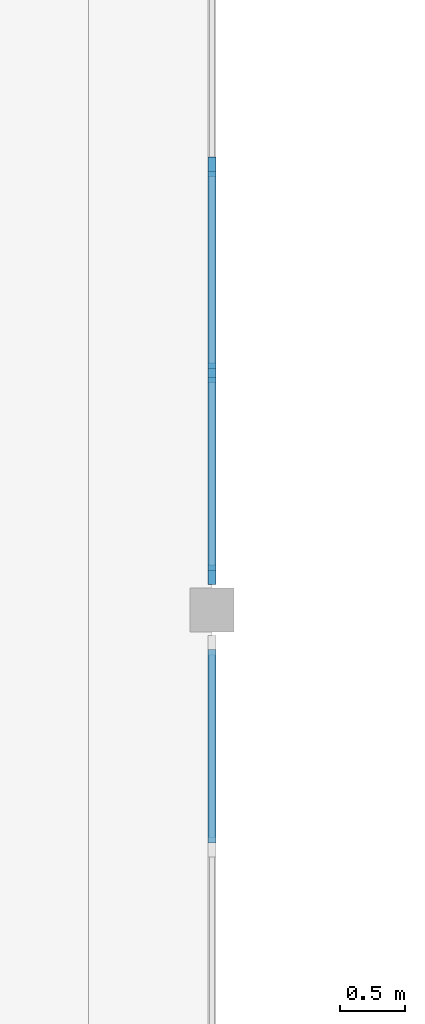
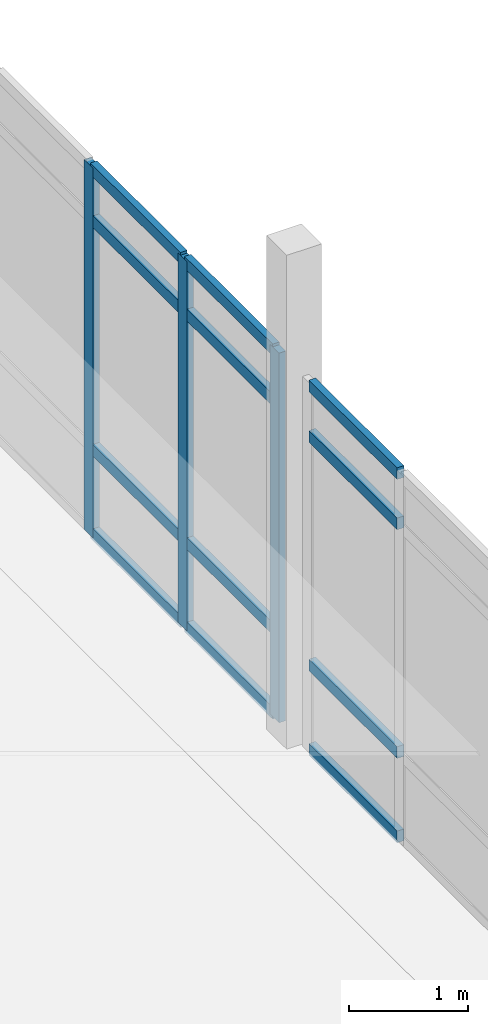
# One storey, part 5 of 42: 15 members, 2 elements without a shape of their own.
"""IFC4 building model written with IfcOpenShell, lengths in metres."""

from ifc_helpers import new_model, si_unit, direction, frame, origin, origin_2d, place, context, subcontext, project, spatial, rectangle, extrude, material, layer, layer_set, material_profile, profile_set, type_object, element, aggregate, save


model = new_model("IFC4")

# Units and contexts
model_context = context("Model", 3, precision=1e-05, world=origin(), true_north=direction((0.0, 1.0)))
body_context = subcontext(model_context, "Body", "Model", "MODEL_VIEW")
ifc_project = project(units=[si_unit("LENGTHUNIT", "METRE"), si_unit("AREAUNIT", "SQUARE_METRE"), si_unit("VOLUMEUNIT", "CUBIC_METRE"), si_unit("PLANEANGLEUNIT", "RADIAN"), si_unit("MASSUNIT", "GRAM", prefix="KILO")], contexts=[model_context])

# Site, building, storey
site_placement = place(None, origin())
site = spatial("IfcSite", under=ifc_project, at=site_placement, CompositionType="ELEMENT")
building_placement = place(site_placement, origin())
building = spatial("IfcBuilding", under=site, at=building_placement, Name="Kolvemor Railside Polytechnic", CompositionType="ELEMENT")
storey_placement = place(building_placement, frame((0.0, 0.0, 14.39990234375)))
storey = spatial("IfcBuildingStorey", under=building, at=storey_placement, Name="L03", CompositionType="ELEMENT", Elevation=14.39990234375)

# Curtain wall, members
ifc_material_1 = material(Name="Anodised marine aluminium and laminated low-E glass", Category="aluminium")
ifc_layer = layer(ifc_material_1, 0.179931640625, Name="CW-UNIT-STD")
ifc_layer_set = layer_set([ifc_layer], Name="Anodised marine aluminium and laminated low-E glass")
curtain_wall_type = type_object("IfcCurtainWallType", Name="CW-UNIT-STD", PredefinedType="USERDEFINED", material=ifc_layer_set)
curtain_wall_1_placement = place(storey_placement, origin())
curtain_wall_1 = element("IfcCurtainWall", 1, at=curtain_wall_1_placement, inside=storey, type_object=curtain_wall_type, Name="Curtain Wall L03-078", ObjectType="UNITISED CURTAIN WALL", PredefinedType="USERDEFINED")
ifc_material_2 = material(Name="Anodised marine aluminium 6063-T6", Category="aluminium")
ifc_material_profile_1 = material_profile(ifc_material_2, rectangle(XDim=0.06494140625, YDim=0.14990234375, at=origin_2d()), Name="CW-MUL-65x150")
ifc_profile_set_1 = profile_set([ifc_material_profile_1], Name="Anodised marine aluminium 6063-T6")
member_type_1 = type_object("IfcMemberType", Name="CWM-65x150", PredefinedType="MULLION", material=ifc_profile_set_1)
member_1_placement = place(storey_placement, frame((48.0, 60.2724609375, 0.0), z_axis=(0.0, 0.0, 1.0), x_axis=(-1.0, 0.0, 0.0)))
member_1 = element("IfcMember", 2, at=member_1_placement, type_object=member_type_1, Name="CW-STD mullion 1", PredefinedType="MULLION", context=body_context, shape_type="SweptSolid", body=[
    extrude(rectangle(XDim=0.06494140625, YDim=0.14990234375, at=origin_2d()), origin(), (0.0, 0.0, 1.0), 3.800048828125),
])
member_2_placement = place(storey_placement, frame((48.0, 61.823974609375, 0.0), z_axis=(0.0, 0.0, 1.0), x_axis=(-1.0, 0.0, 0.0)))
member_2 = element("IfcMember", 3, at=member_2_placement, type_object=member_type_1, Name="CW-STD mullion 2", PredefinedType="MULLION", context=body_context, shape_type="SweptSolid", body=[
    extrude(rectangle(XDim=0.06494140625, YDim=0.14990234375, at=origin_2d()), origin(), (0.0, 0.0, 1.0), 3.800048828125),
])
member_3_placement = place(storey_placement, frame((48.0, 63.407958984375, 0.0), z_axis=(0.0, 0.0, 1.0), x_axis=(-1.0, 0.0, 0.0)))
member_3 = element("IfcMember", 4, at=member_3_placement, type_object=member_type_1, Name="CW-STD mullion 3", PredefinedType="MULLION", context=body_context, shape_type="SweptSolid", body=[
    extrude(rectangle(XDim=0.06494140625, YDim=0.14990234375, at=origin_2d()), origin(), (0.0, 0.0, 1.0), 3.800048828125),
])

curtain_wall_2_placement = place(storey_placement, origin())
curtain_wall_2 = element("IfcCurtainWall", 5, at=curtain_wall_2_placement, inside=storey, type_object=curtain_wall_type, Name="Curtain Wall L03-068", ObjectType="UNITISED CURTAIN WALL", PredefinedType="USERDEFINED")
ifc_material_3 = material(Name="Anodised marine aluminium 6063-T6", Category="aluminium")
ifc_material_profile_2 = material_profile(ifc_material_3, rectangle(XDim=0.06494140625, YDim=0.1201171875, at=origin_2d()), Name="CW-TRN-65x120")
ifc_profile_set_2 = profile_set([ifc_material_profile_2], Name="Anodised marine aluminium 6063-T6")
member_type_2 = type_object("IfcMemberType", Name="CWT-65x120", PredefinedType="USERDEFINED", material=ifc_profile_set_2)
member_4_placement = place(storey_placement, frame((48.0, 58.20849609375, 0.03271484375), z_axis=(0.0, 1.0, 0.0), x_axis=(-1.0, 0.0, 0.0)))
member_4 = element("IfcMember", 6, at=member_4_placement, type_object=member_type_2, Name="CW-STD transom 5.1", ObjectType="TRANSOM", PredefinedType="USERDEFINED", context=body_context, shape_type="SweptSolid", body=[
    extrude(rectangle(XDim=0.06494140625, YDim=0.1201171875, at=origin_2d()), origin(), (0.0, 0.0, 1.0), 1.486572265625),
])
member_5_placement = place(storey_placement, frame((48.0, 58.20849609375, 0.900146484375), z_axis=(0.0, 1.0, 0.0), x_axis=(-1.0, 0.0, 0.0)))
member_5 = element("IfcMember", 7, at=member_5_placement, type_object=member_type_2, Name="CW-STD transom 5.2", ObjectType="TRANSOM", PredefinedType="USERDEFINED", context=body_context, shape_type="SweptSolid", body=[
    extrude(rectangle(XDim=0.06494140625, YDim=0.1201171875, at=origin_2d()), origin(), (0.0, 0.0, 1.0), 1.486572265625),
])
member_6_placement = place(storey_placement, frame((48.0, 58.20849609375, 3.25), z_axis=(0.0, 1.0, 0.0), x_axis=(-1.0, 0.0, 0.0)))
member_6 = element("IfcMember", 8, at=member_6_placement, type_object=member_type_2, Name="CW-STD transom 5.3", ObjectType="TRANSOM", PredefinedType="USERDEFINED", context=body_context, shape_type="SweptSolid", body=[
    extrude(rectangle(XDim=0.06494140625, YDim=0.1201171875, at=origin_2d()), origin(), (0.0, 0.0, 1.0), 1.486572265625),
])
member_7_placement = place(storey_placement, frame((48.0, 58.20849609375, 3.767578125), z_axis=(0.0, 1.0, 0.0), x_axis=(-1.0, 0.0, 0.0)))
member_7 = element("IfcMember", 9, at=member_7_placement, type_object=member_type_2, Name="CW-STD transom 5.4", ObjectType="TRANSOM", PredefinedType="USERDEFINED", context=body_context, shape_type="SweptSolid", body=[
    extrude(rectangle(XDim=0.06494140625, YDim=0.1201171875, at=origin_2d()), origin(), (0.0, 0.0, 1.0), 1.486572265625),
])
aggregate(curtain_wall_2, [member_4, member_5, member_6, member_7])

# Member
member_8_placement = place(storey_placement, frame((48.0, 60.304931640625, 0.03271484375), z_axis=(0.0, 1.0, 0.0), x_axis=(-1.0, 0.0, 0.0)))
member_8 = element("IfcMember", 10, at=member_8_placement, type_object=member_type_2, Name="CW-STD transom 1.1", ObjectType="TRANSOM", PredefinedType="USERDEFINED", context=body_context, shape_type="SweptSolid", body=[
    extrude(rectangle(XDim=0.06494140625, YDim=0.1201171875, at=origin_2d()), origin(), (0.0, 0.0, 1.0), 1.486572265625),
])

member_9_placement = place(storey_placement, frame((48.0, 60.304931640625, 0.900146484375), z_axis=(0.0, 1.0, 0.0), x_axis=(-1.0, 0.0, 0.0)))
member_9 = element("IfcMember", 11, at=member_9_placement, type_object=member_type_2, Name="CW-STD transom 1.2", ObjectType="TRANSOM", PredefinedType="USERDEFINED", context=body_context, shape_type="SweptSolid", body=[
    extrude(rectangle(XDim=0.06494140625, YDim=0.1201171875, at=origin_2d()), origin(), (0.0, 0.0, 1.0), 1.486572265625),
])

member_10_placement = place(storey_placement, frame((48.0, 60.304931640625, 3.25), z_axis=(0.0, 1.0, 0.0), x_axis=(-1.0, 0.0, 0.0)))
member_10 = element("IfcMember", 12, at=member_10_placement, type_object=member_type_2, Name="CW-STD transom 1.3", ObjectType="TRANSOM", PredefinedType="USERDEFINED", context=body_context, shape_type="SweptSolid", body=[
    extrude(rectangle(XDim=0.06494140625, YDim=0.1201171875, at=origin_2d()), origin(), (0.0, 0.0, 1.0), 1.486572265625),
])

member_11_placement = place(storey_placement, frame((48.0, 60.304931640625, 3.767578125), z_axis=(0.0, 1.0, 0.0), x_axis=(-1.0, 0.0, 0.0)))
member_11 = element("IfcMember", 13, at=member_11_placement, type_object=member_type_2, Name="CW-STD transom 1.4", ObjectType="TRANSOM", PredefinedType="USERDEFINED", context=body_context, shape_type="SweptSolid", body=[
    extrude(rectangle(XDim=0.06494140625, YDim=0.1201171875, at=origin_2d()), origin(), (0.0, 0.0, 1.0), 1.486572265625),
])

member_12_placement = place(storey_placement, frame((48.0, 61.8564453125, 0.03271484375), z_axis=(0.0, 1.0, 0.0), x_axis=(-1.0, 0.0, 0.0)))
member_12 = element("IfcMember", 14, at=member_12_placement, type_object=member_type_2, Name="CW-STD transom 2.1", ObjectType="TRANSOM", PredefinedType="USERDEFINED", context=body_context, shape_type="SweptSolid", body=[
    extrude(rectangle(XDim=0.06494140625, YDim=0.1201171875, at=origin_2d()), origin(), (0.0, 0.0, 1.0), 1.51904296875),
])

member_13_placement = place(storey_placement, frame((48.0, 61.8564453125, 0.900146484375), z_axis=(0.0, 1.0, 0.0), x_axis=(-1.0, 0.0, 0.0)))
member_13 = element("IfcMember", 15, at=member_13_placement, type_object=member_type_2, Name="CW-STD transom 2.2", ObjectType="TRANSOM", PredefinedType="USERDEFINED", context=body_context, shape_type="SweptSolid", body=[
    extrude(rectangle(XDim=0.06494140625, YDim=0.1201171875, at=origin_2d()), origin(), (0.0, 0.0, 1.0), 1.51904296875),
])

member_14_placement = place(storey_placement, frame((48.0, 61.8564453125, 3.25), z_axis=(0.0, 1.0, 0.0), x_axis=(-1.0, 0.0, 0.0)))
member_14 = element("IfcMember", 16, at=member_14_placement, type_object=member_type_2, Name="CW-STD transom 2.3", ObjectType="TRANSOM", PredefinedType="USERDEFINED", context=body_context, shape_type="SweptSolid", body=[
    extrude(rectangle(XDim=0.06494140625, YDim=0.1201171875, at=origin_2d()), origin(), (0.0, 0.0, 1.0), 1.51904296875),
])

member_15_placement = place(storey_placement, frame((48.0, 61.8564453125, 3.767578125), z_axis=(0.0, 1.0, 0.0), x_axis=(-1.0, 0.0, 0.0)))
member_15 = element("IfcMember", 17, at=member_15_placement, type_object=member_type_2, Name="CW-STD transom 2.4", ObjectType="TRANSOM", PredefinedType="USERDEFINED", context=body_context, shape_type="SweptSolid", body=[
    extrude(rectangle(XDim=0.06494140625, YDim=0.1201171875, at=origin_2d()), origin(), (0.0, 0.0, 1.0), 1.51904296875),
])

aggregate(curtain_wall_1, [member_1, member_2, member_3, member_8, member_9, member_10, member_11, member_12, member_13, member_14, member_15])

save(model, "model.ifc")
